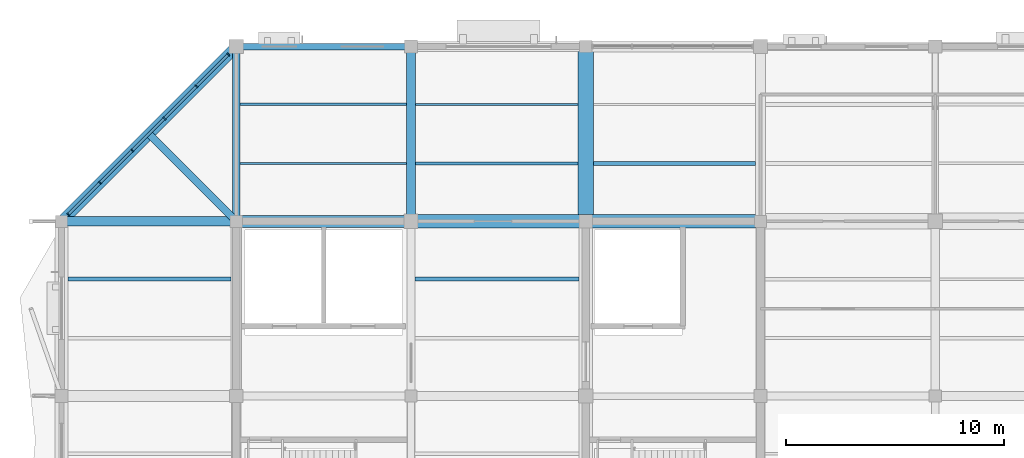
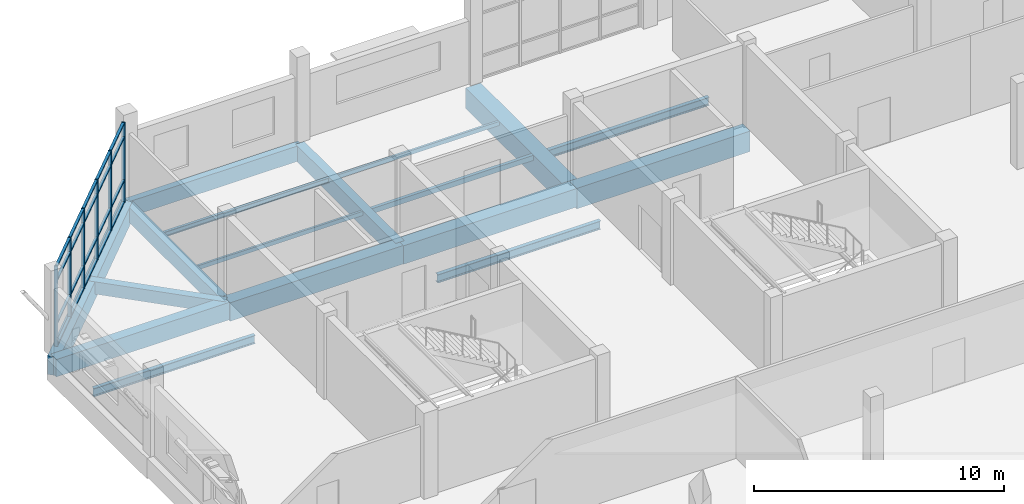
# One storey, part 20 of 72: 26 members, 17 beams, 1 element without a shape of its own.
"""IFC4 building model written with IfcOpenShell, lengths in metres."""

import ifcopenshell
import ifcopenshell.guid

model = None  # the IFC model being written
_history = None  # IfcOwnerHistory: only IFC2X3 demands one
_inside = {}  # id of a spatial element -> (the spatial element, [elements in it])
_under = {}  # id of a project, library or spatial element -> (it, [spatial elements below it])
_declared = {}  # id of a project -> (the project, [libraries it declares])
_typed = {}  # id of a type object -> (the type object, [elements of that type])
_made_of = {}  # id of a material, layer set ... -> (it, [elements and type objects made of it])


def new_model(schema):
    """Start an empty IFC model of exactly this schema.

    Asked for "IFC4X3", IfcOpenShell would pick the latest addendum, in which some entities
    have other attributes; the version numbers below select the first issue.
    IFC2X3 requires an IfcOwnerHistory on every rooted entity: one is made here for all.
    """
    global model, _history
    if schema == "IFC4X3":
        model = ifcopenshell.file(schema_version=(4, 3, 0, 0))
    else:
        model = ifcopenshell.file(schema=schema)
    _inside.clear()
    _under.clear()
    _declared.clear()
    _typed.clear()
    _made_of.clear()
    _history = None
    if model.schema == "IFC2X3":
        org = make("IfcOrganization", Name="unknown")
        user = make(
            "IfcPersonAndOrganization",
            ThePerson=make("IfcPerson", FamilyName="unknown"),
            TheOrganization=org,
        )
        app = make(
            "IfcApplication",
            ApplicationDeveloper=org,
            Version="unknown",
            ApplicationFullName="unknown",
            ApplicationIdentifier="unknown",
        )
        _history = make(
            "IfcOwnerHistory",
            OwningUser=user,
            OwningApplication=app,
            ChangeAction="ADDED",
            CreationDate=0,
        )
    return model


def make(cls, **values):
    """One entity of the class cls with the attributes given. An attribute that is None is left unset."""
    return model.create_entity(
        cls, **{name: value for name, value in values.items() if value is not None}
    )


def rooted(cls, **values):
    """An entity with a GlobalId (a new one), such as an element, a storey or a relation."""
    return make(cls, GlobalId=ifcopenshell.guid.new(), OwnerHistory=_history, **values)


def si_unit(unit_type, name, prefix=None):
    """IfcSIUnit, for example si_unit("LENGTHUNIT", "METRE", prefix="MILLI")."""
    return make("IfcSIUnit", UnitType=unit_type, Prefix=prefix, Name=name)


def assignment(units):
    """IfcUnitAssignment: the units of a project."""
    return None if units is None else make("IfcUnitAssignment", Units=units)


def point(xyz):
    """IfcCartesianPoint."""
    return None if xyz is None else make("IfcCartesianPoint", Coordinates=xyz)


def direction(xyz):
    """IfcDirection."""
    return None if xyz is None else make("IfcDirection", DirectionRatios=xyz)


def frame(location, z_axis=None, x_axis=None):
    """IfcAxis2Placement3D, a coordinate frame: its origin and axes. An axis left out is left unset."""
    return make(
        "IfcAxis2Placement3D",
        Location=point(location),
        Axis=direction(z_axis),
        RefDirection=direction(x_axis),
    )


def frame_2d(location, x_axis=None):
    """IfcAxis2Placement2D, a coordinate frame in the plane: its origin and x axis."""
    return make(
        "IfcAxis2Placement2D", Location=point(location), RefDirection=direction(x_axis)
    )


def origin():
    """The frame at (0, 0, 0) with its axes left unset."""
    return frame((0.0, 0.0, 0.0))


def origin_2d():
    """The frame at (0, 0) in the plane with its x axis left unset."""
    return frame_2d((0.0, 0.0))


def place(relative_to, where):
    """IfcLocalPlacement: puts the frame where relative to a parent placement (None: the world)."""
    return make(
        "IfcLocalPlacement", PlacementRelTo=relative_to, RelativePlacement=where
    )


def context(
    kind, dimensions, precision=None, world=None, true_north=None, identifier=None
):
    """IfcGeometricRepresentationContext, for example the 3D "Model" context."""
    return make(
        "IfcGeometricRepresentationContext",
        ContextIdentifier=identifier,
        ContextType=kind,
        CoordinateSpaceDimension=dimensions,
        Precision=precision,
        WorldCoordinateSystem=world,
        TrueNorth=true_north,
    )


def subcontext(parent, identifier, kind, view, scale=None):
    """IfcGeometricRepresentationSubContext, for example "Body" below "Model"."""
    return make(
        "IfcGeometricRepresentationSubContext",
        ContextIdentifier=identifier,
        ContextType=kind,
        ParentContext=parent,
        TargetScale=scale,
        TargetView=view,
    )


def project(units=None, contexts=None):
    """IfcProject with its units and contexts."""
    return rooted(
        "IfcProject",
        Name="project",
        RepresentationContexts=contexts,
        UnitsInContext=assignment(units),
    )


def spatial(cls, under=None, at=None, **own):
    """A site, building, storey or space (cls), placed at a placement, below another one or the project."""
    s = rooted(cls, ObjectPlacement=at, **own)
    if under is not None:
        _under.setdefault(under.id(), (under, []))[1].append(s)
    return s


def profile(cls, at=None, kind="AREA", **sizes):
    """A parametric profile (cls). Its sizes go by their IFC names, for example OverallWidth=200.0."""
    return make(cls, ProfileType=kind, Position=at, **sizes)


def rectangle(**sizes):
    """IfcRectangleProfileDef."""
    return profile("IfcRectangleProfileDef", **sizes)


def hollow_rectangle(**sizes):
    """IfcRectangleHollowProfileDef."""
    return profile("IfcRectangleHollowProfileDef", **sizes)


def i_section(**sizes):
    """IfcIShapeProfileDef."""
    return profile("IfcIShapeProfileDef", **sizes)


def extrude(swept, where, along, depth):
    """IfcExtrudedAreaSolid: the profile swept, set in the frame where, extruded along a direction by depth."""
    return make(
        "IfcExtrudedAreaSolid",
        SweptArea=swept,
        Position=where,
        ExtrudedDirection=direction(along),
        Depth=depth,
    )


def shape(context_of_items, identifier, shape_type, items):
    """IfcShapeRepresentation: the items that make up one representation, for example the "Body"."""
    return make(
        "IfcShapeRepresentation",
        ContextOfItems=context_of_items,
        RepresentationIdentifier=identifier,
        RepresentationType=shape_type,
        Items=items,
    )


def material(Name=None, Category=None):
    """IfcMaterial."""
    return make("IfcMaterial", Name=Name, Category=Category)


def material_profile(
    of_material, cross_section, Name=None, Category=None, Priority=None
):
    """IfcMaterialProfile: a cross section and its material."""
    return make(
        "IfcMaterialProfile",
        Name=Name,
        Material=of_material,
        Profile=cross_section,
        Priority=Priority,
        Category=Category,
    )


def profile_set(profiles, Name=None, composite=None):
    """IfcMaterialProfileSet."""
    return make(
        "IfcMaterialProfileSet",
        Name=Name,
        MaterialProfiles=profiles,
        CompositeProfile=composite,
    )


def made_of(thing, what):
    """Note that an element or type object is made of a material, layer set ...; save() writes the relation."""
    if what is not None:
        _made_of.setdefault(what.id(), (what, []))[1].append(thing)
    return thing


def type_object(cls, material=None, **own):
    """A type object (cls), such as IfcWallType, which elements share."""
    return made_of(rooted(cls, **own), material)


def element(
    cls,
    number,
    at=None,
    inside=None,
    cuts=None,
    type_object=None,
    material=None,
    context=None,
    identifier="Body",
    shape_type=None,
    held_by="IfcProductDefinitionShape",
    body=None,
    shapes=None,
    **own,
):
    """One element of the class cls, such as IfcWall. Its Tag is "e" and its number.

    at: its placement. inside: the storey or other place that contains it. cuts: it is an
    opening in that element (IfcRelVoidsElement). A single representation is given by context,
    identifier, shape_type and body (its items); several are given by shapes. held_by: the class
    of the entity that holds the representations. save() writes the other relations.
    """
    e = rooted(cls, Tag="e%d" % number, ObjectPlacement=at, **own)
    if body is not None:
        shapes = [shape(context, identifier, shape_type, body)]
    if shapes is not None:
        e.Representation = make(held_by, Representations=shapes)
    if inside is not None:
        _inside.setdefault(inside.id(), (inside, []))[1].append(e)
    if cuts is not None:
        rooted(
            "IfcRelVoidsElement", RelatingBuildingElement=cuts, RelatedOpeningElement=e
        )
    if type_object is not None:
        _typed.setdefault(type_object.id(), (type_object, []))[1].append(e)
    return made_of(e, material)


def aggregate(whole, parts):
    """IfcRelAggregates: a whole, such as a stair, and the parts it consists of."""
    return rooted("IfcRelAggregates", RelatingObject=whole, RelatedObjects=parts)


def save(model, path):
    """Write the relations noted so far, then the file.

    IfcRelAggregates (storeys below a building ...), IfcRelContainedInSpatialStructure (elements
    in a storey), IfcRelDefinesByType, IfcRelAssociatesMaterial and IfcRelDeclares: one each for
    every whole, place, type object, material and project.
    """
    for whole, parts in _under.values():
        aggregate(whole, parts)
    for where, things in _inside.values():
        rooted(
            "IfcRelContainedInSpatialStructure",
            RelatedElements=things,
            RelatingStructure=where,
        )
    for kind, things in _typed.values():
        rooted("IfcRelDefinesByType", RelatedObjects=things, RelatingType=kind)
    for what, things in _made_of.values():
        rooted("IfcRelAssociatesMaterial", RelatedObjects=things, RelatingMaterial=what)
    for by, libraries in _declared.values():
        rooted("IfcRelDeclares", RelatingContext=by, RelatedDefinitions=libraries)
    model.write(path)


model = new_model("IFC4")

# Units and contexts
model_context = context("Model", 3, precision=1e-05, world=origin(), true_north=direction((0.0, 1.0)))
body_context = subcontext(model_context, "Body", "Model", "MODEL_VIEW")
ifc_project = project(units=[si_unit("LENGTHUNIT", "METRE"), si_unit("AREAUNIT", "SQUARE_METRE"), si_unit("VOLUMEUNIT", "CUBIC_METRE"), si_unit("PLANEANGLEUNIT", "RADIAN"), si_unit("MASSUNIT", "GRAM", prefix="KILO")], contexts=[model_context])

# Site, building, storey
site_placement = place(None, origin())
site = spatial("IfcSite", under=ifc_project, at=site_placement, CompositionType="ELEMENT")
building_placement = place(site_placement, origin())
building = spatial("IfcBuilding", under=site, at=building_placement, Name="Tenunan Teduh Sports Hall", CompositionType="ELEMENT")
storey_placement = place(building_placement, frame((0.0, 0.0, 15.0)))
storey = spatial("IfcBuildingStorey", under=building, at=storey_placement, Name="L03", CompositionType="ELEMENT", Elevation=15.0)

# Beams
ifc_material_1 = material(Name="Concrete C40/50", Category="concrete")
ifc_material_profile_1 = material_profile(ifc_material_1, rectangle(XDim=0.35009765625, YDim=0.60009765625, at=origin_2d()), Name="RCB 350x600")
ifc_profile_set_1 = profile_set([ifc_material_profile_1], Name="Concrete C40/50")
beam_type_1 = type_object("IfcBeamType", Name="BM-RC-350x600", PredefinedType="BEAM", material=ifc_profile_set_1)
beam_1_placement = place(storey_placement, frame((14.0, 110.0, -0.5400390625), z_axis=(-0.707106781187, 0.707106781187, 0.0), x_axis=(-0.707106781187, -0.707106781187, 0.0)))
element("IfcBeam", 1, at=beam_1_placement, inside=storey, type_object=beam_type_1, Name="BM-B-04-L03-2225", PredefinedType="BEAM", context=body_context, shape_type="SweptSolid", body=[
    extrude(rectangle(XDim=0.35009765625, YDim=0.60009765625, at=origin_2d()), origin(), (0.0, 0.0, 1.0), 5.65673828125),
])
ifc_material_2 = material(Name="Concrete C40/50", Category="concrete")
ifc_material_profile_2 = material_profile(ifc_material_2, rectangle(XDim=0.39990234375, YDim=0.800048828125, at=origin_2d()), Name="RCB 400x800")
ifc_profile_set_2 = profile_set([ifc_material_profile_2], Name="Concrete C40/50")
beam_type_2 = type_object("IfcBeamType", Name="BM-RC-400x800", PredefinedType="BEAM", material=ifc_profile_set_2)
beam_2_placement = place(storey_placement, frame((22.0, 110.0, -0.639892578125), z_axis=(0.0, 1.0, 0.0), x_axis=(-1.0, 0.0, 0.0)))
element("IfcBeam", 2, at=beam_2_placement, inside=storey, type_object=beam_type_2, Name="BM-B-10-L03-1902", PredefinedType="BEAM", context=body_context, shape_type="SweptSolid", body=[
    extrude(rectangle(XDim=0.39990234375, YDim=0.800048828125, at=origin_2d()), origin(), (0.0, 0.0, 1.0), 8.0),
])
ifc_material_3 = material(Name="Concrete C40/50", Category="concrete")
ifc_material_profile_3 = material_profile(ifc_material_3, rectangle(XDim=0.449951171875, YDim=0.85009765625, at=origin_2d()), Name="RCB 450x850")
ifc_profile_set_3 = profile_set([ifc_material_profile_3], Name="Concrete C40/50")
beam_type_3 = type_object("IfcBeamType", Name="BM-RC-450x850", PredefinedType="BEAM", material=ifc_profile_set_3)
beam_3_placement = place(storey_placement, frame((6.0, 110.0, -0.6650390625), z_axis=(1.0, 0.0, 0.0), x_axis=(0.0, 1.0, 0.0)))
element("IfcBeam", 3, at=beam_3_placement, inside=storey, type_object=beam_type_3, Name="BM-B-13-L03-1862", PredefinedType="BEAM", context=body_context, shape_type="SweptSolid", body=[
    extrude(rectangle(XDim=0.449951171875, YDim=0.85009765625, at=origin_2d()), origin(), (0.0, 0.0, 1.0), 8.0),
])
ifc_material_4 = material(Name="Concrete C40/50", Category="concrete")
ifc_material_profile_4 = material_profile(ifc_material_4, rectangle(XDim=0.5, YDim=0.89990234375, at=origin_2d()), Name="RCB 500x900")
ifc_profile_set_4 = profile_set([ifc_material_profile_4], Name="Concrete C40/50")
beam_type_4 = type_object("IfcBeamType", Name="BM-RC-500x900", PredefinedType="BEAM", material=ifc_profile_set_4)
beam_4_placement = place(storey_placement, frame((6.0, 110.0, -0.68994140625), z_axis=(0.707106781187, 0.707106781187, 0.0), x_axis=(-0.707106781187, 0.707106781187, 0.0)))
element("IfcBeam", 4, at=beam_4_placement, inside=storey, type_object=beam_type_4, Name="BM-B-15-L03-0590", PredefinedType="BEAM", context=body_context, shape_type="SweptSolid", body=[
    extrude(rectangle(XDim=0.5, YDim=0.89990234375, at=origin_2d()), origin(), (0.0, 0.0, 1.0), 11.313720703125),
])
ifc_material_5 = material(Name="Concrete C40/50", Category="concrete")
ifc_material_profile_5 = material_profile(ifc_material_5, rectangle(XDim=0.550048828125, YDim=0.89990234375, at=origin_2d()), Name="RCB 550x900")
ifc_profile_set_5 = profile_set([ifc_material_profile_5], Name="Concrete C40/50")
beam_type_5 = type_object("IfcBeamType", Name="BM-RC-550x900", PredefinedType="BEAM", material=ifc_profile_set_5)
beam_5_placement = place(storey_placement, frame((14.0, 110.0, -0.68994140625), z_axis=(1.0, 0.0, 0.0), x_axis=(0.0, 1.0, 0.0)))
element("IfcBeam", 5, at=beam_5_placement, inside=storey, type_object=beam_type_5, Name="BM-B-16-L03-1863", PredefinedType="BEAM", context=body_context, shape_type="SweptSolid", body=[
    extrude(rectangle(XDim=0.550048828125, YDim=0.89990234375, at=origin_2d()), origin(), (0.0, 0.0, 1.0), 8.0),
])
ifc_material_6 = material(Name="Concrete C40/50", Category="concrete")
ifc_material_profile_6 = material_profile(ifc_material_6, rectangle(XDim=0.60009765625, YDim=1.0, at=origin_2d()), Name="RCB 600x1000")
ifc_profile_set_6 = profile_set([ifc_material_profile_6], Name="Concrete C40/50")
beam_type_6 = type_object("IfcBeamType", Name="BM-RC-600x1000", PredefinedType="BEAM", material=ifc_profile_set_6)
beam_6_placement = place(storey_placement, frame((30.0, 110.0, -0.739990234375), z_axis=(1.0, 0.0, 0.0), x_axis=(0.0, 1.0, 0.0)))
element("IfcBeam", 6, at=beam_6_placement, inside=storey, type_object=beam_type_6, Name="BM-B-18-L03-1865", PredefinedType="BEAM", context=body_context, shape_type="SweptSolid", body=[
    extrude(rectangle(XDim=0.60009765625, YDim=1.0, at=origin_2d()), origin(), (0.0, 0.0, 1.0), 8.0),
])
ifc_material_7 = material(Name="Concrete C40/50", Category="concrete")
ifc_material_profile_7 = material_profile(ifc_material_7, rectangle(XDim=0.60009765625, YDim=0.89990234375, at=origin_2d()), Name="RCB 600x900")
ifc_profile_set_7 = profile_set([ifc_material_profile_7], Name="Concrete C40/50")
beam_type_7 = type_object("IfcBeamType", Name="BM-RC-600x900", PredefinedType="BEAM", material=ifc_profile_set_7)
beam_7_placement = place(storey_placement, frame((22.0, 110.0, -0.68994140625), z_axis=(1.0, 0.0, 0.0), x_axis=(0.0, 1.0, 0.0)))
element("IfcBeam", 7, at=beam_7_placement, inside=storey, type_object=beam_type_7, Name="BM-B-17-L03-1864", PredefinedType="BEAM", context=body_context, shape_type="SweptSolid", body=[
    extrude(rectangle(XDim=0.60009765625, YDim=0.89990234375, at=origin_2d()), origin(), (0.0, 0.0, 1.0), 8.0),
])
ifc_material_8 = material(Name="Concrete C40/50", Category="concrete")
ifc_material_profile_8 = material_profile(ifc_material_8, rectangle(XDim=0.699951171875, YDim=1.0, at=origin_2d()), Name="RCB 700x1000")
ifc_profile_set_8 = profile_set([ifc_material_profile_8], Name="Concrete C40/50")
beam_type_8 = type_object("IfcBeamType", Name="BM-RC-700x1000", PredefinedType="SPANDREL", material=ifc_profile_set_8)
beam_8_placement = place(storey_placement, frame((30.0, 110.0, -0.739990234375), z_axis=(0.0, 1.0, 0.0), x_axis=(-1.0, 0.0, 0.0)))
element("IfcBeam", 8, at=beam_8_placement, inside=storey, type_object=beam_type_8, Name="BM-B-19-L03-1907", PredefinedType="SPANDREL", context=body_context, shape_type="SweptSolid", body=[
    extrude(rectangle(XDim=0.699951171875, YDim=1.0, at=origin_2d()), origin(), (0.0, 0.0, 1.0), 8.0),
])
ifc_material_9 = material(Name="Concrete C40/50", Category="concrete")
ifc_material_profile_9 = material_profile(ifc_material_9, rectangle(XDim=0.300048828125, YDim=0.75, at=origin_2d()), Name="SPB 300x750")
ifc_profile_set_9 = profile_set([ifc_material_profile_9], Name="Concrete C40/50")
beam_type_9 = type_object("IfcBeamType", Name="BM-SP-300x750", PredefinedType="SPANDREL", material=ifc_profile_set_9)
beam_9_placement = place(storey_placement, frame((14.0, 118.0, -0.614990234375), z_axis=(1.0, 0.0, 0.0), x_axis=(0.0, 1.0, 0.0)))
element("IfcBeam", 9, at=beam_9_placement, inside=storey, type_object=beam_type_9, Name="BM-SP-01-L03-1871", PredefinedType="SPANDREL", context=body_context, shape_type="SweptSolid", body=[
    extrude(rectangle(XDim=0.300048828125, YDim=0.75, at=origin_2d()), origin(), (0.0, 0.0, 1.0), 8.0),
])
ifc_material_10 = material(Name="Concrete C40/50", Category="concrete")
ifc_material_profile_10 = material_profile(ifc_material_10, rectangle(XDim=0.35009765625, YDim=0.719970703125, at=origin_2d()), Name="TB 350x720")
ifc_profile_set_10 = profile_set([ifc_material_profile_10], Name="Concrete C40/50")
beam_type_10 = type_object("IfcBeamType", Name="BM-TB-350x720", PredefinedType="T_BEAM", material=ifc_profile_set_10)
beam_10_placement = place(storey_placement, frame((14.0, 110.0, -0.60009765625), z_axis=(0.0, 1.0, 0.0), x_axis=(-1.0, 0.0, 0.0)))
element("IfcBeam", 10, at=beam_10_placement, inside=storey, type_object=beam_type_10, Name="BM-TB-01-L03-1893", PredefinedType="T_BEAM", context=body_context, shape_type="SweptSolid", body=[
    extrude(rectangle(XDim=0.35009765625, YDim=0.719970703125, at=origin_2d()), origin(), (0.0, 0.0, 1.0), 8.0),
])

# Curtain wall, members
ifc_material_11 = material(Name="Anodised aluminium", Category="aluminium")
curtain_wall_type = type_object("IfcCurtainWallType", Name="CW-UNIT-2", PredefinedType="NOTDEFINED", material=ifc_material_11)
curtain_wall_placement = place(storey_placement, origin())
curtain_wall = element("IfcCurtainWall", 11, at=curtain_wall_placement, inside=storey, type_object=curtain_wall_type, Name="CW-CWM-150-L03-227", PredefinedType="NOTDEFINED")
ifc_material_12 = material(Name="Anodised aluminium", Category="aluminium")
ifc_material_profile_11 = material_profile(ifc_material_12, rectangle(XDim=0.06005859375, YDim=0.14990234375, at=origin_2d()), Name="CWM 60x150")
ifc_profile_set_11 = profile_set([ifc_material_profile_11], Name="Anodised aluminium")
member_type_1 = type_object("IfcMemberType", Name="CWM-150", PredefinedType="MULLION", material=ifc_profile_set_11)
member_1_placement = place(storey_placement, frame((6.31005859375, 110.309814453125, 0.0), z_axis=(0.0, 0.0, 1.0), x_axis=(0.707101844633, 0.707111717706, 0.0)))
member_1 = element("IfcMember", 12, at=member_1_placement, type_object=member_type_1, Name="CW-02 mullion 1", PredefinedType="MULLION", context=body_context, shape_type="SweptSolid", body=[
    extrude(rectangle(XDim=0.06005859375, YDim=0.14990234375, at=origin_2d()), origin(), (0.0, 0.0, 1.0), 3.919921875),
])
member_2_placement = place(storey_placement, frame((7.7626953125, 111.7626953125, 0.0), z_axis=(0.0, 0.0, 1.0), x_axis=(0.707101844633, 0.707111717706, 0.0)))
member_2 = element("IfcMember", 13, at=member_2_placement, type_object=member_type_1, Name="CW-02 mullion 2", PredefinedType="MULLION", context=body_context, shape_type="SweptSolid", body=[
    extrude(rectangle(XDim=0.06005859375, YDim=0.14990234375, at=origin_2d()), origin(), (0.0, 0.0, 1.0), 3.919921875),
])
member_3_placement = place(storey_placement, frame((9.23681640625, 113.23681640625, 0.0), z_axis=(0.0, 0.0, 1.0), x_axis=(0.707101844633, 0.707111717706, 0.0)))
member_3 = element("IfcMember", 14, at=member_3_placement, type_object=member_type_1, Name="CW-02 mullion 3", PredefinedType="MULLION", context=body_context, shape_type="SweptSolid", body=[
    extrude(rectangle(XDim=0.06005859375, YDim=0.14990234375, at=origin_2d()), origin(), (0.0, 0.0, 1.0), 3.919921875),
])
member_4_placement = place(storey_placement, frame((10.710693359375, 114.710693359375, 0.0), z_axis=(0.0, 0.0, 1.0), x_axis=(0.707101844633, 0.707111717706, 0.0)))
member_4 = element("IfcMember", 15, at=member_4_placement, type_object=member_type_1, Name="CW-02 mullion 4", PredefinedType="MULLION", context=body_context, shape_type="SweptSolid", body=[
    extrude(rectangle(XDim=0.06005859375, YDim=0.14990234375, at=origin_2d()), origin(), (0.0, 0.0, 1.0), 3.919921875),
])
member_5_placement = place(storey_placement, frame((12.184814453125, 116.184814453125, 0.0), z_axis=(0.0, 0.0, 1.0), x_axis=(0.707101844633, 0.707111717706, 0.0)))
member_5 = element("IfcMember", 16, at=member_5_placement, type_object=member_type_1, Name="CW-02 mullion 5", PredefinedType="MULLION", context=body_context, shape_type="SweptSolid", body=[
    extrude(rectangle(XDim=0.06005859375, YDim=0.14990234375, at=origin_2d()), origin(), (0.0, 0.0, 1.0), 3.919921875),
])
member_6_placement = place(storey_placement, frame((13.637451171875, 117.637451171875, 0.0), z_axis=(0.0, 0.0, 1.0), x_axis=(0.707101844633, 0.707111717706, 0.0)))
member_6 = element("IfcMember", 17, at=member_6_placement, type_object=member_type_1, Name="CW-02 mullion 6", PredefinedType="MULLION", context=body_context, shape_type="SweptSolid", body=[
    extrude(rectangle(XDim=0.06005859375, YDim=0.14990234375, at=origin_2d()), origin(), (0.0, 0.0, 1.0), 3.919921875),
])
ifc_material_13 = material(Name="Anodised aluminium", Category="aluminium")
ifc_material_profile_12 = material_profile(ifc_material_13, rectangle(XDim=0.06005859375, YDim=0.1201171875, at=origin_2d()), Name="CWT 60x120")
ifc_profile_set_12 = profile_set([ifc_material_profile_12], Name="Anodised aluminium")
member_type_2 = type_object("IfcMemberType", Name="CWT-125", PredefinedType="USERDEFINED", material=ifc_profile_set_12)
member_7_placement = place(storey_placement, frame((6.331298828125, 110.3310546875, 0.030029296875), z_axis=(0.707045573069, 0.707167984006, 0.0), x_axis=(0.0, 0.0, 1.0)))
member_7 = element("IfcMember", 18, at=member_7_placement, type_object=member_type_2, Name="CW-02 transom 1.1", ObjectType="TRANSOM", PredefinedType="USERDEFINED", context=body_context, shape_type="SweptSolid", body=[
    extrude(rectangle(XDim=0.06005859375, YDim=0.1201171875, at=origin_2d()), origin(), (0.0, 0.0, 1.0), 1.994384765625),
])
member_8_placement = place(storey_placement, frame((6.331298828125, 110.3310546875, 1.10009765625), z_axis=(0.707045573069, 0.707167984006, 0.0), x_axis=(0.0, 0.0, 1.0)))
member_8 = element("IfcMember", 19, at=member_8_placement, type_object=member_type_2, Name="CW-02 transom 1.2", ObjectType="TRANSOM", PredefinedType="USERDEFINED", context=body_context, shape_type="SweptSolid", body=[
    extrude(rectangle(XDim=0.06005859375, YDim=0.1201171875, at=origin_2d()), origin(), (0.0, 0.0, 1.0), 1.994384765625),
])
member_9_placement = place(storey_placement, frame((6.331298828125, 110.3310546875, 3.199951171875), z_axis=(0.707045573069, 0.707167984006, 0.0), x_axis=(0.0, 0.0, 1.0)))
member_9 = element("IfcMember", 20, at=member_9_placement, type_object=member_type_2, Name="CW-02 transom 1.3", ObjectType="TRANSOM", PredefinedType="USERDEFINED", context=body_context, shape_type="SweptSolid", body=[
    extrude(rectangle(XDim=0.06005859375, YDim=0.1201171875, at=origin_2d()), origin(), (0.0, 0.0, 1.0), 1.994384765625),
])
member_10_placement = place(storey_placement, frame((6.331298828125, 110.3310546875, 3.889892578125), z_axis=(0.707045573069, 0.707167984006, 0.0), x_axis=(0.0, 0.0, 1.0)))
member_10 = element("IfcMember", 21, at=member_10_placement, type_object=member_type_2, Name="CW-02 transom 1.4", ObjectType="TRANSOM", PredefinedType="USERDEFINED", context=body_context, shape_type="SweptSolid", body=[
    extrude(rectangle(XDim=0.06005859375, YDim=0.1201171875, at=origin_2d()), origin(), (0.0, 0.0, 1.0), 1.994384765625),
])
member_11_placement = place(storey_placement, frame((7.783935546875, 111.783935546875, 0.030029296875), z_axis=(0.707106781187, 0.707106781187, 0.0), x_axis=(0.0, 0.0, 1.0)))
member_11 = element("IfcMember", 22, at=member_11_placement, type_object=member_type_2, Name="CW-02 transom 2.1", ObjectType="TRANSOM", PredefinedType="USERDEFINED", context=body_context, shape_type="SweptSolid", body=[
    extrude(rectangle(XDim=0.06005859375, YDim=0.1201171875, at=origin_2d()), origin(), (0.0, 0.0, 1.0), 2.024658203125),
])
member_12_placement = place(storey_placement, frame((7.783935546875, 111.783935546875, 1.10009765625), z_axis=(0.707106781187, 0.707106781187, 0.0), x_axis=(0.0, 0.0, 1.0)))
member_12 = element("IfcMember", 23, at=member_12_placement, type_object=member_type_2, Name="CW-02 transom 2.2", ObjectType="TRANSOM", PredefinedType="USERDEFINED", context=body_context, shape_type="SweptSolid", body=[
    extrude(rectangle(XDim=0.06005859375, YDim=0.1201171875, at=origin_2d()), origin(), (0.0, 0.0, 1.0), 2.024658203125),
])
member_13_placement = place(storey_placement, frame((7.783935546875, 111.783935546875, 3.199951171875), z_axis=(0.707106781187, 0.707106781187, 0.0), x_axis=(0.0, 0.0, 1.0)))
member_13 = element("IfcMember", 24, at=member_13_placement, type_object=member_type_2, Name="CW-02 transom 2.3", ObjectType="TRANSOM", PredefinedType="USERDEFINED", context=body_context, shape_type="SweptSolid", body=[
    extrude(rectangle(XDim=0.06005859375, YDim=0.1201171875, at=origin_2d()), origin(), (0.0, 0.0, 1.0), 2.024658203125),
])
member_14_placement = place(storey_placement, frame((7.783935546875, 111.783935546875, 3.889892578125), z_axis=(0.707106781187, 0.707106781187, 0.0), x_axis=(0.0, 0.0, 1.0)))
member_14 = element("IfcMember", 25, at=member_14_placement, type_object=member_type_2, Name="CW-02 transom 2.4", ObjectType="TRANSOM", PredefinedType="USERDEFINED", context=body_context, shape_type="SweptSolid", body=[
    extrude(rectangle(XDim=0.06005859375, YDim=0.1201171875, at=origin_2d()), origin(), (0.0, 0.0, 1.0), 2.024658203125),
])
member_15_placement = place(storey_placement, frame((9.258056640625, 113.2578125, 0.030029296875), z_axis=(0.707046481287, 0.707167075945, 0.0), x_axis=(0.0, 0.0, 1.0)))
member_15 = element("IfcMember", 26, at=member_15_placement, type_object=member_type_2, Name="CW-02 transom 3.1", ObjectType="TRANSOM", PredefinedType="USERDEFINED", context=body_context, shape_type="SweptSolid", body=[
    extrude(rectangle(XDim=0.06005859375, YDim=0.1201171875, at=origin_2d()), origin(), (0.0, 0.0, 1.0), 2.0244140625),
])
member_16_placement = place(storey_placement, frame((9.258056640625, 113.2578125, 1.10009765625), z_axis=(0.707046481287, 0.707167075945, 0.0), x_axis=(0.0, 0.0, 1.0)))
member_16 = element("IfcMember", 27, at=member_16_placement, type_object=member_type_2, Name="CW-02 transom 3.2", ObjectType="TRANSOM", PredefinedType="USERDEFINED", context=body_context, shape_type="SweptSolid", body=[
    extrude(rectangle(XDim=0.06005859375, YDim=0.1201171875, at=origin_2d()), origin(), (0.0, 0.0, 1.0), 2.0244140625),
])
member_17_placement = place(storey_placement, frame((9.258056640625, 113.2578125, 3.199951171875), z_axis=(0.707046481287, 0.707167075945, 0.0), x_axis=(0.0, 0.0, 1.0)))
member_17 = element("IfcMember", 28, at=member_17_placement, type_object=member_type_2, Name="CW-02 transom 3.3", ObjectType="TRANSOM", PredefinedType="USERDEFINED", context=body_context, shape_type="SweptSolid", body=[
    extrude(rectangle(XDim=0.06005859375, YDim=0.1201171875, at=origin_2d()), origin(), (0.0, 0.0, 1.0), 2.0244140625),
])
member_18_placement = place(storey_placement, frame((9.258056640625, 113.2578125, 3.889892578125), z_axis=(0.707046481287, 0.707167075945, 0.0), x_axis=(0.0, 0.0, 1.0)))
member_18 = element("IfcMember", 29, at=member_18_placement, type_object=member_type_2, Name="CW-02 transom 3.4", ObjectType="TRANSOM", PredefinedType="USERDEFINED", context=body_context, shape_type="SweptSolid", body=[
    extrude(rectangle(XDim=0.06005859375, YDim=0.1201171875, at=origin_2d()), origin(), (0.0, 0.0, 1.0), 2.0244140625),
])
member_19_placement = place(storey_placement, frame((10.73193359375, 114.73193359375, 0.030029296875), z_axis=(0.707106781187, 0.707106781187, 0.0), x_axis=(0.0, 0.0, 1.0)))
member_19 = element("IfcMember", 30, at=member_19_placement, type_object=member_type_2, Name="CW-02 transom 4.1", ObjectType="TRANSOM", PredefinedType="USERDEFINED", context=body_context, shape_type="SweptSolid", body=[
    extrude(rectangle(XDim=0.06005859375, YDim=0.1201171875, at=origin_2d()), origin(), (0.0, 0.0, 1.0), 2.024658203125),
])
member_20_placement = place(storey_placement, frame((10.73193359375, 114.73193359375, 1.10009765625), z_axis=(0.707106781187, 0.707106781187, 0.0), x_axis=(0.0, 0.0, 1.0)))
member_20 = element("IfcMember", 31, at=member_20_placement, type_object=member_type_2, Name="CW-02 transom 4.2", ObjectType="TRANSOM", PredefinedType="USERDEFINED", context=body_context, shape_type="SweptSolid", body=[
    extrude(rectangle(XDim=0.06005859375, YDim=0.1201171875, at=origin_2d()), origin(), (0.0, 0.0, 1.0), 2.024658203125),
])
member_21_placement = place(storey_placement, frame((10.73193359375, 114.73193359375, 3.199951171875), z_axis=(0.707106781187, 0.707106781187, 0.0), x_axis=(0.0, 0.0, 1.0)))
member_21 = element("IfcMember", 32, at=member_21_placement, type_object=member_type_2, Name="CW-02 transom 4.3", ObjectType="TRANSOM", PredefinedType="USERDEFINED", context=body_context, shape_type="SweptSolid", body=[
    extrude(rectangle(XDim=0.06005859375, YDim=0.1201171875, at=origin_2d()), origin(), (0.0, 0.0, 1.0), 2.024658203125),
])
member_22_placement = place(storey_placement, frame((10.73193359375, 114.73193359375, 3.889892578125), z_axis=(0.707106781187, 0.707106781187, 0.0), x_axis=(0.0, 0.0, 1.0)))
member_22 = element("IfcMember", 33, at=member_22_placement, type_object=member_type_2, Name="CW-02 transom 4.4", ObjectType="TRANSOM", PredefinedType="USERDEFINED", context=body_context, shape_type="SweptSolid", body=[
    extrude(rectangle(XDim=0.06005859375, YDim=0.1201171875, at=origin_2d()), origin(), (0.0, 0.0, 1.0), 2.024658203125),
])
member_23_placement = place(storey_placement, frame((12.2060546875, 116.205810546875, 0.030029296875), z_axis=(0.707045573069, 0.707167984006, 0.0), x_axis=(0.0, 0.0, 1.0)))
member_23 = element("IfcMember", 34, at=member_23_placement, type_object=member_type_2, Name="CW-02 transom 5.1", ObjectType="TRANSOM", PredefinedType="USERDEFINED", context=body_context, shape_type="SweptSolid", body=[
    extrude(rectangle(XDim=0.06005859375, YDim=0.1201171875, at=origin_2d()), origin(), (0.0, 0.0, 1.0), 1.994384765625),
])
member_24_placement = place(storey_placement, frame((12.2060546875, 116.205810546875, 1.10009765625), z_axis=(0.707045573069, 0.707167984006, 0.0), x_axis=(0.0, 0.0, 1.0)))
member_24 = element("IfcMember", 35, at=member_24_placement, type_object=member_type_2, Name="CW-02 transom 5.2", ObjectType="TRANSOM", PredefinedType="USERDEFINED", context=body_context, shape_type="SweptSolid", body=[
    extrude(rectangle(XDim=0.06005859375, YDim=0.1201171875, at=origin_2d()), origin(), (0.0, 0.0, 1.0), 1.994384765625),
])
member_25_placement = place(storey_placement, frame((12.2060546875, 116.205810546875, 3.199951171875), z_axis=(0.707045573069, 0.707167984006, 0.0), x_axis=(0.0, 0.0, 1.0)))
member_25 = element("IfcMember", 36, at=member_25_placement, type_object=member_type_2, Name="CW-02 transom 5.3", ObjectType="TRANSOM", PredefinedType="USERDEFINED", context=body_context, shape_type="SweptSolid", body=[
    extrude(rectangle(XDim=0.06005859375, YDim=0.1201171875, at=origin_2d()), origin(), (0.0, 0.0, 1.0), 1.994384765625),
])
member_26_placement = place(storey_placement, frame((12.2060546875, 116.205810546875, 3.889892578125), z_axis=(0.707045573069, 0.707167984006, 0.0), x_axis=(0.0, 0.0, 1.0)))
member_26 = element("IfcMember", 37, at=member_26_placement, type_object=member_type_2, Name="CW-02 transom 5.4", ObjectType="TRANSOM", PredefinedType="USERDEFINED", context=body_context, shape_type="SweptSolid", body=[
    extrude(rectangle(XDim=0.06005859375, YDim=0.1201171875, at=origin_2d()), origin(), (0.0, 0.0, 1.0), 1.994384765625),
])
aggregate(curtain_wall, [member_1, member_2, member_3, member_4, member_5, member_6, member_7, member_8, member_9, member_10, member_11, member_12, member_13, member_14, member_15, member_16, member_17, member_18, member_19, member_20, member_21, member_22, member_23, member_24, member_25, member_26])

# Beams
ifc_material_14 = material(Name="Steel S355", Category="steel")
ifc_material_profile_13 = material_profile(ifc_material_14, i_section(OverallWidth=0.1201171875, OverallDepth=0.239990234375, WebThickness=0.006103515625, FlangeThickness=0.009765625, FilletRadius=0.014892578125, at=origin_2d()), Name="IPE 240")
ifc_profile_set_13 = profile_set([ifc_material_profile_13], Name="Steel S355")
beam_type_11 = type_object("IfcBeamType", Name="JST-IPE240", PredefinedType="JOIST", material=ifc_profile_set_13)
beam_11_placement = place(storey_placement, frame((14.175048828125, 115.35009765625, -0.360107421875), z_axis=(1.0, 0.0, 0.0), x_axis=(0.0, 1.0, 0.0)))
element("IfcBeam", 38, at=beam_11_placement, inside=storey, type_object=beam_type_11, Name="BM-J-02-L03-1967", PredefinedType="JOIST", context=body_context, shape_type="SweptSolid", body=[
    extrude(i_section(OverallWidth=0.1201171875, OverallDepth=0.239990234375, WebThickness=0.006103515625, FlangeThickness=0.009765625, FilletRadius=0.014892578125, at=origin_2d()), origin(), (0.0, 0.0, 1.0), 7.625),
])
ifc_material_15 = material(Name="Steel S355", Category="steel")
ifc_material_profile_14 = material_profile(ifc_material_15, i_section(OverallWidth=0.179931640625, OverallDepth=0.39990234375, WebThickness=0.008544921875, FlangeThickness=0.013427734375, FilletRadius=0.02099609375, at=origin_2d()), Name="IPE 400")
ifc_profile_set_14 = profile_set([ifc_material_profile_14], Name="Steel S355")
beam_type_12 = type_object("IfcBeamType", Name="JST-IPE400", PredefinedType="JOIST", material=ifc_profile_set_14)
beam_12_placement = place(storey_placement, frame((30.35009765625, 112.64990234375, -0.43994140625), z_axis=(1.0, 0.0, 0.0), x_axis=(0.0, 1.0, 0.0)))
element("IfcBeam", 39, at=beam_12_placement, inside=storey, type_object=beam_type_12, Name="BM-J-06-L03-1982", PredefinedType="JOIST", context=body_context, shape_type="SweptSolid", body=[
    extrude(i_section(OverallWidth=0.179931640625, OverallDepth=0.39990234375, WebThickness=0.008544921875, FlangeThickness=0.013427734375, FilletRadius=0.02099609375, at=origin_2d()), origin(), (0.0, 0.0, 1.0), 7.4248046875),
])
ifc_material_16 = material(Name="Steel S355", Category="steel")
ifc_material_profile_15 = material_profile(ifc_material_16, hollow_rectangle(XDim=0.10009765625, YDim=0.199951171875, WallThickness=0.008056640625, at=origin_2d()), Name="RHS 200x100x8.0")
ifc_profile_set_15 = profile_set([ifc_material_profile_15], Name="Steel S355")
beam_type_13 = type_object("IfcBeamType", Name="RBM-RHS200", PredefinedType="JOIST", material=ifc_profile_set_15)
beam_13_placement = place(storey_placement, frame((14.175048828125, 112.64990234375, -0.340087890625), z_axis=(1.0, 0.0, 0.0), x_axis=(0.0, 1.0, 0.0)))
element("IfcBeam", 40, at=beam_13_placement, inside=storey, type_object=beam_type_13, Name="Perimeter Ring Beam BM-RB-05-L03-1966", PredefinedType="JOIST", context=body_context, shape_type="SweptSolid", body=[
    extrude(hollow_rectangle(XDim=0.10009765625, YDim=0.199951171875, WallThickness=0.008056640625, at=origin_2d()), origin(), (0.0, 0.0, 1.0), 7.625),
])
beam_14_placement = place(storey_placement, frame((22.199951171875, 115.35009765625, -0.340087890625), z_axis=(1.0, 0.0, 0.0), x_axis=(0.0, 1.0, 0.0)))
element("IfcBeam", 41, at=beam_14_placement, inside=storey, type_object=beam_type_13, Name="Perimeter Ring Beam BM-RB-05-L03-1977", PredefinedType="JOIST", context=body_context, shape_type="SweptSolid", body=[
    extrude(hollow_rectangle(XDim=0.10009765625, YDim=0.199951171875, WallThickness=0.008056640625, at=origin_2d()), origin(), (0.0, 0.0, 1.0), 7.449951171875),
])
ifc_material_17 = material(Name="Steel S355", Category="steel")
ifc_material_profile_16 = material_profile(ifc_material_17, hollow_rectangle(XDim=0.14990234375, YDim=0.25, WallThickness=0.010009765625, at=origin_2d()), Name="RHS 250x150x10.0")
ifc_profile_set_16 = profile_set([ifc_material_profile_16], Name="Steel S355")
beam_type_14 = type_object("IfcBeamType", Name="RBM-RHS250", PredefinedType="BEAM", material=ifc_profile_set_16)
beam_15_placement = place(storey_placement, frame((22.199951171875, 112.64990234375, -0.364990234375), z_axis=(1.0, 0.0, 0.0), x_axis=(0.0, 1.0, 0.0)))
element("IfcBeam", 42, at=beam_15_placement, inside=storey, type_object=beam_type_14, Name="Perimeter Ring Beam BM-RB-04-L03-1976", PredefinedType="BEAM", context=body_context, shape_type="SweptSolid", body=[
    extrude(hollow_rectangle(XDim=0.14990234375, YDim=0.25, WallThickness=0.010009765625, at=origin_2d()), origin(), (0.0, 0.0, 1.0), 7.449951171875),
])
ifc_material_18 = material(Name="Steel S355", Category="steel")
ifc_material_profile_17 = material_profile(ifc_material_18, i_section(OverallWidth=0.177978515625, OverallDepth=0.406494140625, WebThickness=0.0078125, FlangeThickness=0.0126953125, FilletRadius=0.01025390625, at=origin_2d()), Name="UKB 406x178x60")
ifc_profile_set_17 = profile_set([ifc_material_profile_17], Name="Steel S355")
beam_type_15 = type_object("IfcBeamType", Name="SBM-UKB406", PredefinedType="BEAM", material=ifc_profile_set_17)
beam_16_placement = place(storey_placement, frame((6.300048828125, 107.35009765625, -0.443115234375), z_axis=(1.0, 0.0, 0.0), x_axis=(0.0, 1.0, 0.0)))
element("IfcBeam", 43, at=beam_16_placement, inside=storey, type_object=beam_type_15, Name="BM-SB-03-L03-1953", PredefinedType="BEAM", context=body_context, shape_type="SweptSolid", body=[
    extrude(i_section(OverallWidth=0.177978515625, OverallDepth=0.406494140625, WebThickness=0.0078125, FlangeThickness=0.0126953125, FilletRadius=0.01025390625, at=origin_2d()), origin(), (0.0, 0.0, 1.0), 7.449951171875),
])
beam_17_placement = place(storey_placement, frame((22.175048828125, 107.35009765625, -0.443115234375), z_axis=(1.0, 0.0, 0.0), x_axis=(0.0, 1.0, 0.0)))
element("IfcBeam", 44, at=beam_17_placement, inside=storey, type_object=beam_type_15, Name="BM-SB-03-L03-1975", PredefinedType="BEAM", context=body_context, shape_type="SweptSolid", body=[
    extrude(i_section(OverallWidth=0.177978515625, OverallDepth=0.406494140625, WebThickness=0.0078125, FlangeThickness=0.0126953125, FilletRadius=0.01025390625, at=origin_2d()), origin(), (0.0, 0.0, 1.0), 7.52490234375),
])

save(model, "model.ifc")
